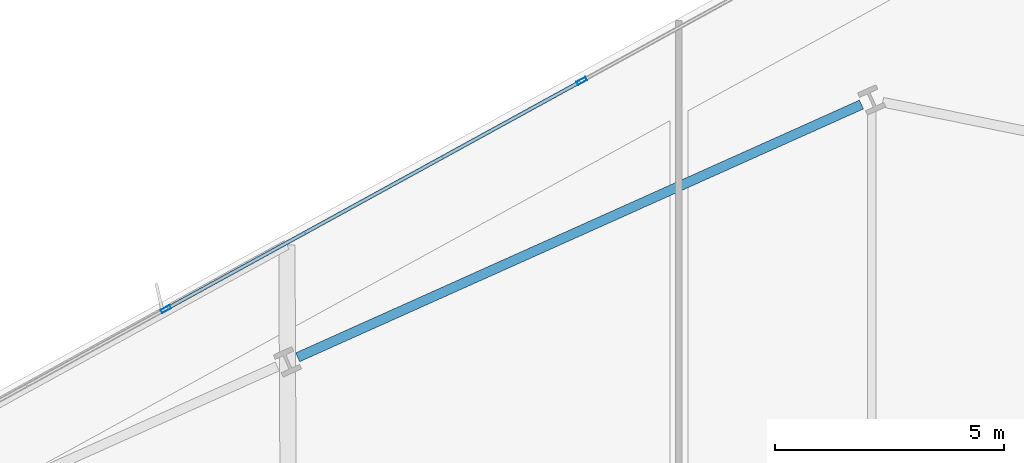
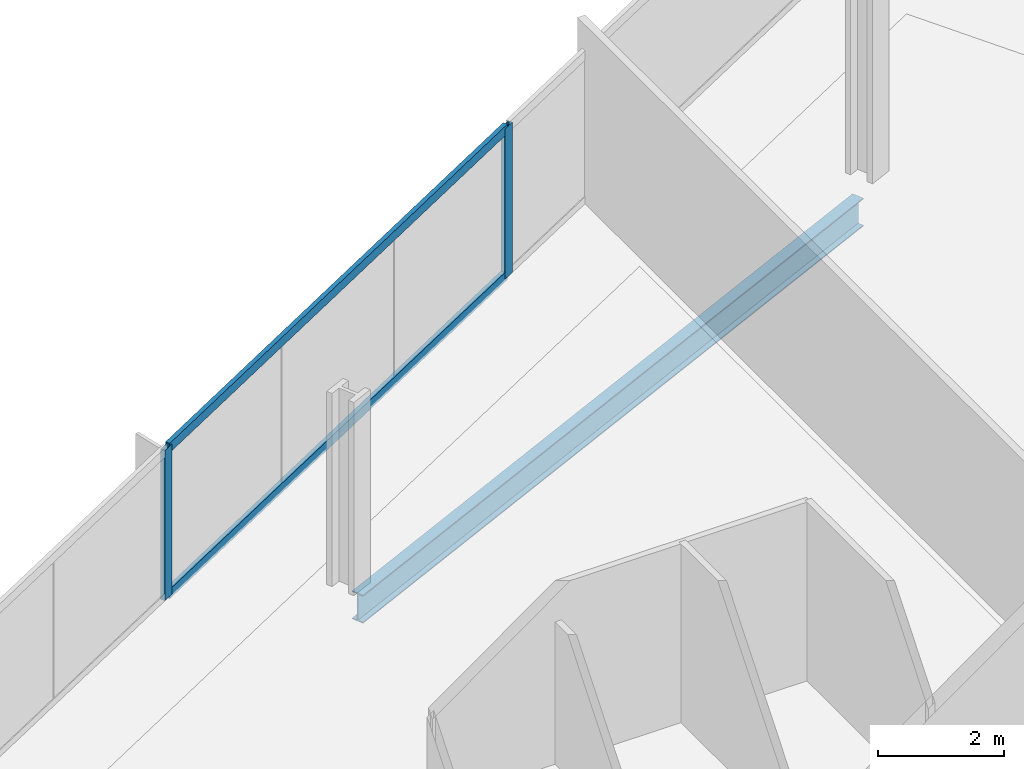
# One storey, part 16 of 33: 4 members, 1 beam, 1 element without a shape of its own.
"""IFC4 building model written with IfcOpenShell, lengths in metres."""

from ifc_helpers import new_model, si_unit, direction, frame, origin, origin_2d, place, context, subcontext, project, spatial, hollow_rectangle, i_section, extrude, material, material_profile, profile_set, type_object, element, aggregate, save


model = new_model("IFC4")

# Units and contexts
model_context = context("Model", 3, precision=1e-05, world=origin(), true_north=direction((0.0, 1.0)))
body_context = subcontext(model_context, "Body", "Model", "MODEL_VIEW")
ifc_project = project(units=[si_unit("LENGTHUNIT", "METRE"), si_unit("AREAUNIT", "SQUARE_METRE"), si_unit("VOLUMEUNIT", "CUBIC_METRE"), si_unit("PLANEANGLEUNIT", "RADIAN"), si_unit("MASSUNIT", "GRAM", prefix="KILO")], contexts=[model_context])

# Site, building, storey
site_placement = place(None, origin())
site = spatial("IfcSite", under=ifc_project, at=site_placement, CompositionType="ELEMENT")
building_placement = place(site_placement, origin())
building = spatial("IfcBuilding", under=site, at=building_placement, Name="Haldenkirk Collegiate Tower", CompositionType="ELEMENT")
storey_placement = place(building_placement, frame((0.0, 0.0, 124.199951171875)))
storey = spatial("IfcBuildingStorey", under=building, at=storey_placement, Name="L30", CompositionType="ELEMENT", Elevation=124.199951171875)

# Beam
ifc_material_1 = material(Name="Steel ASTM A992 Grade 50", Category="steel")
ifc_material_profile_1 = material_profile(ifc_material_1, i_section(OverallWidth=0.2119140625, OverallDepth=0.5439453125, WebThickness=0.01318359375, FlangeThickness=0.021240234375, at=origin_2d()), Name="W21X83")
ifc_profile_set_1 = profile_set([ifc_material_profile_1], Name="Steel ASTM A992 Grade 50")
beam_type = type_object("IfcBeamType", Name="BM-SPANDREL-W21X83", PredefinedType="SPANDREL", material=ifc_profile_set_1)
beam_placement = place(storey_placement, frame((39.4921875, 51.84033203125, -0.572021484375), z_axis=(-0.912476765144, -0.409128528793, 0.0), x_axis=(0.409128528793, -0.912476765144, 0.0)))
element("IfcBeam", 1, at=beam_placement, inside=storey, type_object=beam_type, Name="L30 perimeter spandrel beam 10", PredefinedType="SPANDREL", context=body_context, shape_type="SweptSolid", body=[
    extrude(i_section(OverallWidth=0.2119140625, OverallDepth=0.5439453125, WebThickness=0.01318359375, FlangeThickness=0.021240234375, at=origin_2d()), origin(), (0.0, 0.0, 1.0), 13.512939453125),
])

# Curtain wall, members
ifc_material_2 = material(Name="Anodised architectural bronze aluminium", Category="aluminium")
curtain_wall_type = type_object("IfcCurtainWallType", Name="CW-SYS1-CONVEX-LOW", PredefinedType="USERDEFINED", material=ifc_material_2)
curtain_wall_placement = place(storey_placement, origin())
curtain_wall = element("IfcCurtainWall", 2, at=curtain_wall_placement, inside=storey, type_object=curtain_wall_type, Name="L30 Lower tower convex bronze-framed unitised curtain wall", ObjectType="UNITISED CURTAIN WALL", PredefinedType="USERDEFINED")
ifc_material_profile_2 = material_profile(ifc_material_2, hollow_rectangle(XDim=0.080078125, YDim=0.219970703125, WallThickness=0.0048828125, at=origin_2d()), Name="CW-MUL-1A")
ifc_profile_set_2 = profile_set([ifc_material_profile_2], Name="Anodised architectural bronze aluminium")
member_type_1 = type_object("IfcMemberType", Name="CW-MUL-1A", PredefinedType="MULLION", material=ifc_profile_set_2)
member_1_placement = place(storey_placement, frame((24.2783203125, 47.36572265625, 0.0), z_axis=(0.0, 0.0, 1.0), x_axis=(-0.480988754199, 0.876726763783, 0.0)))
member_1 = element("IfcMember", 3, at=member_1_placement, type_object=member_type_1, Name="CW-1A mullion 3", PredefinedType="MULLION", context=body_context, shape_type="SweptSolid", body=[
    extrude(hollow_rectangle(XDim=0.080078125, YDim=0.219970703125, WallThickness=0.0048828125, at=origin_2d()), origin(), (0.0, 0.0, 1.0), 2.901123046875),
])
member_2_placement = place(storey_placement, frame((33.374267578125, 52.35595703125, 0.0), z_axis=(0.0, 0.0, 1.0), x_axis=(-0.480988754199, 0.876726763783, 0.0)))
member_2 = element("IfcMember", 4, at=member_2_placement, type_object=member_type_1, Name="CW-1A mullion 4", PredefinedType="MULLION", context=body_context, shape_type="SweptSolid", body=[
    extrude(hollow_rectangle(XDim=0.080078125, YDim=0.219970703125, WallThickness=0.0048828125, at=origin_2d()), origin(), (0.0, 0.0, 1.0), 2.901123046875),
])
ifc_material_profile_3 = material_profile(ifc_material_2, hollow_rectangle(XDim=0.080078125, YDim=0.179931640625, WallThickness=0.0048828125, at=origin_2d()), Name="CW-TRN-1A")
ifc_profile_set_3 = profile_set([ifc_material_profile_3], Name="Anodised architectural bronze aluminium")
member_type_2 = type_object("IfcMemberType", Name="CW-TRN-1A", PredefinedType="USERDEFINED", material=ifc_profile_set_3)
member_3_placement = place(storey_placement, frame((24.3134765625, 47.385009765625, 0.0400390625), z_axis=(0.876721120918, 0.480999039642, 0.0), x_axis=(-0.480999039642, 0.876721120918, 0.0)))
member_3 = element("IfcMember", 5, at=member_3_placement, type_object=member_type_2, Name="CW-1A transom 3.1", ObjectType="TRANSOM", PredefinedType="USERDEFINED", context=body_context, shape_type="SweptSolid", body=[
    extrude(hollow_rectangle(XDim=0.080078125, YDim=0.179931640625, WallThickness=0.0048828125, at=origin_2d()), origin(), (0.0, 0.0, 1.0), 10.294921875),
])
member_4_placement = place(storey_placement, frame((24.3134765625, 47.385009765625, 2.861083984375), z_axis=(0.876721120918, 0.480999039642, 0.0), x_axis=(-0.480999039642, 0.876721120918, 0.0)))
member_4 = element("IfcMember", 6, at=member_4_placement, type_object=member_type_2, Name="CW-1A transom 3.2", ObjectType="TRANSOM", PredefinedType="USERDEFINED", context=body_context, shape_type="SweptSolid", body=[
    extrude(hollow_rectangle(XDim=0.080078125, YDim=0.179931640625, WallThickness=0.0048828125, at=origin_2d()), origin(), (0.0, 0.0, 1.0), 10.294921875),
])
aggregate(curtain_wall, [member_1, member_2, member_3, member_4])

save(model, "model.ifc")
